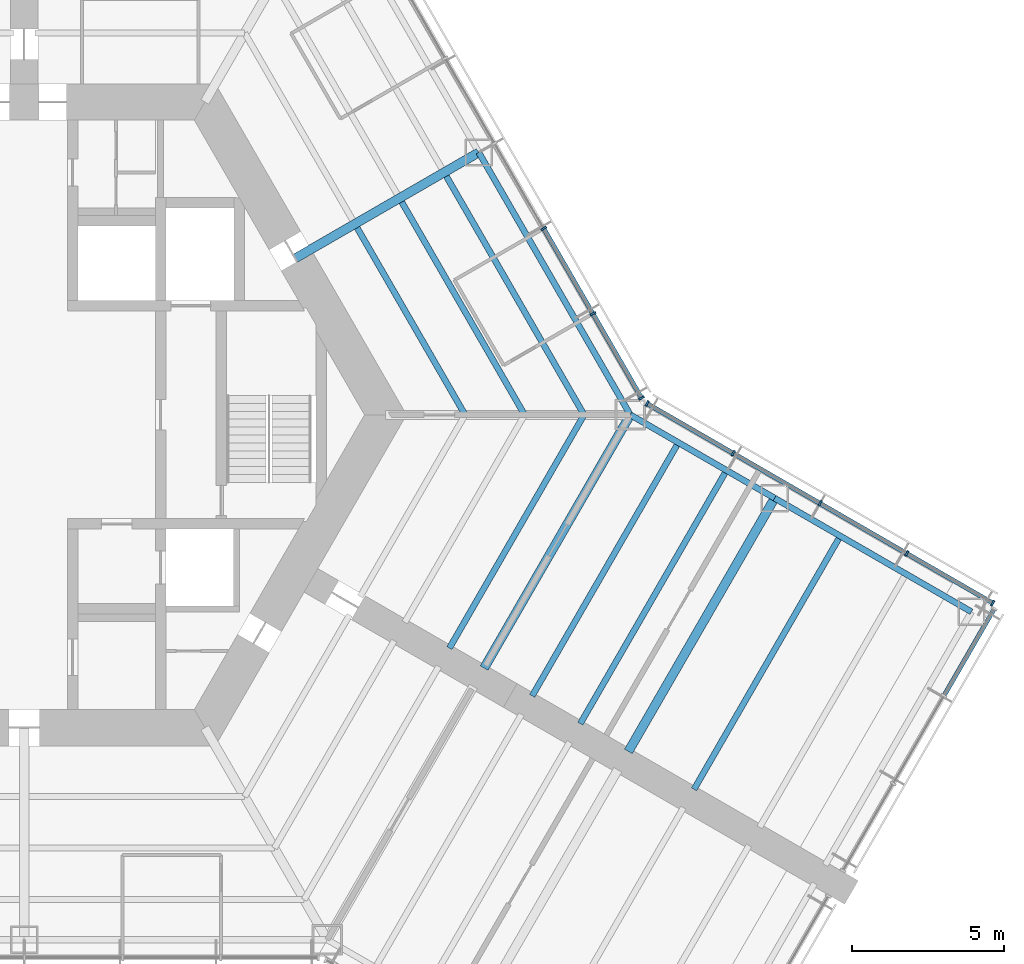
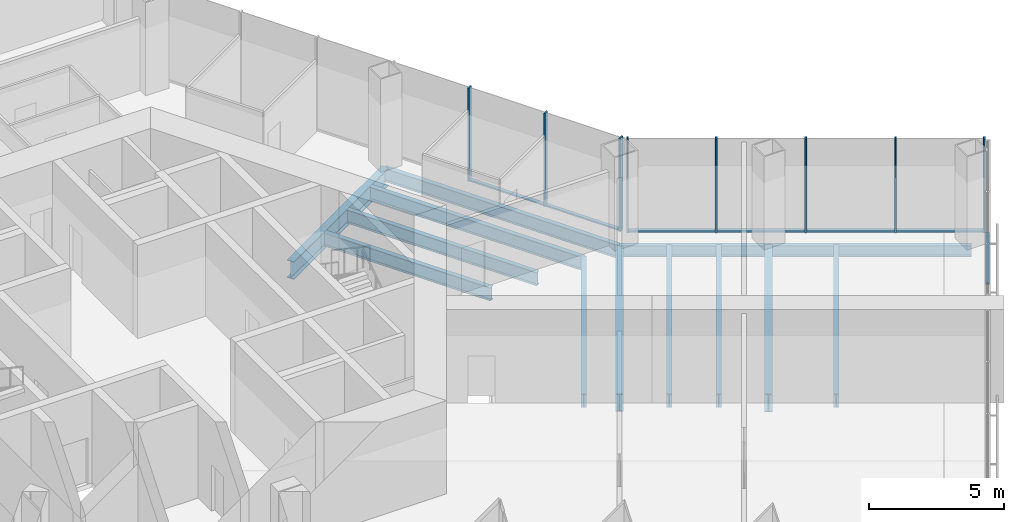
# One storey, part 5 of 17: 15 members, 13 beams, 3 elements without a shape of their own.
"""IFC4 building model written with IfcOpenShell, lengths in metres."""

from ifc_helpers import new_model, si_unit, direction, frame, origin, origin_2d, place, context, subcontext, project, spatial, rectangle, i_section, extrude, material, material_profile, profile_set, type_object, element, aggregate, save


model = new_model("IFC4")

# Units and contexts
model_context = context("Model", 3, precision=1e-05, world=origin(), true_north=direction((0.0, 1.0)))
body_context = subcontext(model_context, "Body", "Model", "MODEL_VIEW")
ifc_project = project(units=[si_unit("LENGTHUNIT", "METRE"), si_unit("AREAUNIT", "SQUARE_METRE"), si_unit("VOLUMEUNIT", "CUBIC_METRE"), si_unit("PLANEANGLEUNIT", "RADIAN"), si_unit("MASSUNIT", "GRAM", prefix="KILO")], contexts=[model_context])

# Site, building, storey
site_placement = place(None, origin())
site = spatial("IfcSite", under=ifc_project, at=site_placement, CompositionType="ELEMENT")
building_placement = place(site_placement, origin())
building = spatial("IfcBuilding", under=site, at=building_placement, Name="Kasaneha Research Tower", CompositionType="ELEMENT")
storey_placement = place(building_placement, frame((0.0, 0.0, 43.60009765625)))
storey = spatial("IfcBuildingStorey", under=building, at=storey_placement, Name="L11", CompositionType="ELEMENT", Elevation=43.60009765625)

# Beams
ifc_material_1 = material(Name="Steel SN490B", Category="steel")
ifc_material_profile_1 = material_profile(ifc_material_1, i_section(OverallWidth=0.199951171875, OverallDepth=0.60009765625, WebThickness=0.010986328125, FlangeThickness=0.01708984375, FilletRadius=0.012939453125, at=origin_2d()), Name="H-600x200x11x17")
ifc_profile_set_1 = profile_set([ifc_material_profile_1], Name="Steel SN490B")
beam_type_1 = type_object("IfcBeamType", Name="B1-2 secondary beam H-600x200x11x17", PredefinedType="JOIST", material=ifc_profile_set_1)
beam_1_placement = place(storey_placement, frame((14.54931640625, 0.0, -0.47021484375), z_axis=(-0.500016104636, 0.866016105569, 0.0), x_axis=(-0.866016105569, -0.500016104636, 0.0)))
element("IfcBeam", 1, at=beam_1_placement, inside=storey, type_object=beam_type_1, Name="Secondary beam RS030L1 L11", PredefinedType="JOIST", context=body_context, shape_type="SweptSolid", body=[
    extrude(i_section(OverallWidth=0.199951171875, OverallDepth=0.60009765625, WebThickness=0.010986328125, FlangeThickness=0.01708984375, FilletRadius=0.012939453125, at=origin_2d()), origin(), (0.0, 0.0, 1.0), 7.124755859375),
])
beam_2_placement = place(storey_placement, frame((16.51220703125, 0.0, -0.47021484375), z_axis=(-0.49999707157, 0.866027094508, 0.0), x_axis=(-0.866027094508, -0.49999707157, 0.0)))
element("IfcBeam", 2, at=beam_2_placement, inside=storey, type_object=beam_type_1, Name="Secondary beam RS030L2 L11", PredefinedType="JOIST", context=body_context, shape_type="SweptSolid", body=[
    extrude(i_section(OverallWidth=0.199951171875, OverallDepth=0.60009765625, WebThickness=0.010986328125, FlangeThickness=0.01708984375, FilletRadius=0.012939453125, at=origin_2d()), origin(), (0.0, 0.0, 1.0), 8.10595703125),
])
beam_3_placement = place(storey_placement, frame((18.47509765625, 0.0, -0.47021484375), z_axis=(-0.499990665392, 0.866030793056, 0.0), x_axis=(-0.866030793056, -0.499990665392, 0.0)))
element("IfcBeam", 3, at=beam_3_placement, inside=storey, type_object=beam_type_1, Name="Secondary beam RS030L3 L11", PredefinedType="JOIST", context=body_context, shape_type="SweptSolid", body=[
    extrude(i_section(OverallWidth=0.199951171875, OverallDepth=0.60009765625, WebThickness=0.010986328125, FlangeThickness=0.01708984375, FilletRadius=0.012939453125, at=origin_2d()), origin(), (0.0, 0.0, 1.0), 9.087646484375),
])
beam_4_placement = place(storey_placement, frame((18.47509765625, 0.0, -0.47021484375), z_axis=(-0.499988779951, -0.866031881586, 0.0), x_axis=(0.866031881586, -0.499988779951, 0.0)))
element("IfcBeam", 4, at=beam_4_placement, inside=storey, type_object=beam_type_1, Name="Secondary beam RS330R3 L11", PredefinedType="JOIST", context=body_context, shape_type="SweptSolid", body=[
    extrude(i_section(OverallWidth=0.199951171875, OverallDepth=0.60009765625, WebThickness=0.010986328125, FlangeThickness=0.01708984375, FilletRadius=0.012939453125, at=origin_2d()), origin(), (0.0, 0.0, 1.0), 8.887451171875),
])
ifc_material_2 = material(Name="Steel SN490B", Category="steel")
ifc_material_profile_2 = material_profile(ifc_material_2, i_section(OverallWidth=0.198974609375, OverallDepth=0.595947265625, WebThickness=0.010009765625, FlangeThickness=0.014892578125, FilletRadius=0.012939453125, at=origin_2d()), Name="H-596x199x10x15")
ifc_profile_set_2 = profile_set([ifc_material_profile_2], Name="Steel SN490B")
beam_type_2 = type_object("IfcBeamType", Name="B2-2 secondary beam H-596x199x10x15", PredefinedType="JOIST", material=ifc_profile_set_2)
beam_5_placement = place(storey_placement, frame((21.587646484375, -0.916748046875, -0.468017578125), z_axis=(-0.499994742786, -0.866028439017, 0.0), x_axis=(0.866028439017, -0.499994742786, 0.0)))
element("IfcBeam", 5, at=beam_5_placement, inside=storey, type_object=beam_type_2, Name="Secondary beam WBCN1 L11", PredefinedType="JOIST", context=body_context, shape_type="SweptSolid", body=[
    extrude(i_section(OverallWidth=0.198974609375, OverallDepth=0.595947265625, WebThickness=0.010009765625, FlangeThickness=0.014892578125, FilletRadius=0.012939453125, at=origin_2d()), origin(), (0.0, 0.0, 1.0), 9.64990234375),
])
beam_6_placement = place(storey_placement, frame((23.175537109375, -1.833251953125, -0.468017578125), z_axis=(-0.500013717211, -0.866017484004, 0.0), x_axis=(0.866017484004, -0.500013717211, 0.0)))
element("IfcBeam", 6, at=beam_6_placement, inside=storey, type_object=beam_type_2, Name="Secondary beam WBCN2 L11", PredefinedType="JOIST", context=body_context, shape_type="SweptSolid", body=[
    extrude(i_section(OverallWidth=0.198974609375, OverallDepth=0.595947265625, WebThickness=0.010009765625, FlangeThickness=0.014892578125, FilletRadius=0.012939453125, at=origin_2d()), origin(), (0.0, 0.0, 1.0), 9.650146484375),
])
beam_7_placement = place(storey_placement, frame((26.92822265625, -4.0, -0.468017578125), z_axis=(-0.499994742786, -0.866028439017, 0.0), x_axis=(0.866028439017, -0.499994742786, 0.0)))
element("IfcBeam", 7, at=beam_7_placement, inside=storey, type_object=beam_type_2, Name="Secondary beam WBCN3 L11", PredefinedType="JOIST", context=body_context, shape_type="SweptSolid", body=[
    extrude(i_section(OverallWidth=0.198974609375, OverallDepth=0.595947265625, WebThickness=0.010009765625, FlangeThickness=0.014892578125, FilletRadius=0.012939453125, at=origin_2d()), origin(), (0.0, 0.0, 1.0), 9.64990234375),
])

# Curtain wall, members
ifc_material_3 = material(Name="Glass and aluminium", Category="aluminium")
curtain_wall_type = type_object("IfcCurtainWallType", Name="Dry laboratory curtain wall", PredefinedType="USERDEFINED", material=ifc_material_3)
curtain_wall_1_placement = place(storey_placement, origin())
curtain_wall_1 = element("IfcCurtainWall", 8, at=curtain_wall_1_placement, inside=storey, type_object=curtain_wall_type, Name="CW-L2 L11 run 06a", ObjectType="UNITISED CURTAIN WALL", PredefinedType="USERDEFINED")
ifc_material_4 = material(Name="Aluminium 6063-T6", Category="aluminium")
ifc_material_profile_3 = material_profile(ifc_material_4, rectangle(XDim=0.06494140625, YDim=0.199951171875, at=origin_2d()), Name="CW-L2 mullion 65x200")
ifc_profile_set_3 = profile_set([ifc_material_profile_3], Name="Aluminium 6063-T6")
member_type_1 = type_object("IfcMemberType", Name="CW-L2 mullion", PredefinedType="MULLION", material=ifc_profile_set_3)
member_1_placement = place(storey_placement, frame((31.963134765625, -6.214111328125, 0.0), z_axis=(0.0, 0.0, 1.0), x_axis=(-0.866025411464, 0.499999986699, 0.0)))
member_1 = element("IfcMember", 9, at=member_1_placement, type_object=member_type_1, Name="CW-L2 mullion 1", PredefinedType="MULLION", context=body_context, shape_type="SweptSolid", body=[
    extrude(rectangle(XDim=0.06494140625, YDim=0.199951171875, at=origin_2d()), origin(), (0.0, 0.0, 1.0), 4.199951171875),
])
member_2_placement = place(storey_placement, frame((29.125, -4.575439453125, 0.0), z_axis=(0.0, 0.0, 1.0), x_axis=(-0.866025411464, 0.499999986699, 0.0)))
member_2 = element("IfcMember", 10, at=member_2_placement, type_object=member_type_1, Name="CW-L2 mullion 2", PredefinedType="MULLION", context=body_context, shape_type="SweptSolid", body=[
    extrude(rectangle(XDim=0.06494140625, YDim=0.199951171875, at=origin_2d()), origin(), (0.0, 0.0, 1.0), 4.199951171875),
])
member_3_placement = place(storey_placement, frame((26.258544921875, -2.920654296875, 0.0), z_axis=(0.0, 0.0, 1.0), x_axis=(-0.866025411464, 0.499999986699, 0.0)))
member_3 = element("IfcMember", 11, at=member_3_placement, type_object=member_type_1, Name="CW-L2 mullion 3", PredefinedType="MULLION", context=body_context, shape_type="SweptSolid", body=[
    extrude(rectangle(XDim=0.06494140625, YDim=0.199951171875, at=origin_2d()), origin(), (0.0, 0.0, 1.0), 4.199951171875),
])
member_4_placement = place(storey_placement, frame((23.39208984375, -1.265625, 0.0), z_axis=(0.0, 0.0, 1.0), x_axis=(-0.866025411464, 0.499999986699, 0.0)))
member_4 = element("IfcMember", 12, at=member_4_placement, type_object=member_type_1, Name="CW-L2 mullion 4", PredefinedType="MULLION", context=body_context, shape_type="SweptSolid", body=[
    extrude(rectangle(XDim=0.06494140625, YDim=0.199951171875, at=origin_2d()), origin(), (0.0, 0.0, 1.0), 4.199951171875),
])
member_5_placement = place(storey_placement, frame((20.553955078125, 0.373046875, 0.0), z_axis=(0.0, 0.0, 1.0), x_axis=(-0.866025411464, 0.499999986699, 0.0)))
member_5 = element("IfcMember", 13, at=member_5_placement, type_object=member_type_1, Name="CW-L2 mullion 5", PredefinedType="MULLION", context=body_context, shape_type="SweptSolid", body=[
    extrude(rectangle(XDim=0.06494140625, YDim=0.199951171875, at=origin_2d()), origin(), (0.0, 0.0, 1.0), 4.199951171875),
])

curtain_wall_2_placement = place(storey_placement, origin())
curtain_wall_2 = element("IfcCurtainWall", 14, at=curtain_wall_2_placement, inside=storey, type_object=curtain_wall_type, Name="CW-L2 L11 run 07a", ObjectType="UNITISED CURTAIN WALL", PredefinedType="USERDEFINED")
member_6_placement = place(storey_placement, frame((20.373046875, 0.553955078125, 0.0), z_axis=(0.0, 0.0, 1.0), x_axis=(-0.49999996188, 0.866025425793, 0.0)))
member_6 = element("IfcMember", 15, at=member_6_placement, type_object=member_type_1, Name="CW-L2 mullion 1", PredefinedType="MULLION", context=body_context, shape_type="SweptSolid", body=[
    extrude(rectangle(XDim=0.06494140625, YDim=0.199951171875, at=origin_2d()), origin(), (0.0, 0.0, 1.0), 4.199951171875),
])
member_7_placement = place(storey_placement, frame((18.76611328125, 3.33740234375, 0.0), z_axis=(0.0, 0.0, 1.0), x_axis=(-0.49999996188, 0.866025425793, 0.0)))
member_7 = element("IfcMember", 16, at=member_7_placement, type_object=member_type_1, Name="CW-L2 mullion 2", PredefinedType="MULLION", context=body_context, shape_type="SweptSolid", body=[
    extrude(rectangle(XDim=0.06494140625, YDim=0.199951171875, at=origin_2d()), origin(), (0.0, 0.0, 1.0), 4.199951171875),
])
member_8_placement = place(storey_placement, frame((17.142822265625, 6.148681640625, 0.0), z_axis=(0.0, 0.0, 1.0), x_axis=(-0.49999996188, 0.866025425793, 0.0)))
member_8 = element("IfcMember", 17, at=member_8_placement, type_object=member_type_1, Name="CW-L2 mullion 3", PredefinedType="MULLION", context=body_context, shape_type="SweptSolid", body=[
    extrude(rectangle(XDim=0.06494140625, YDim=0.199951171875, at=origin_2d()), origin(), (0.0, 0.0, 1.0), 4.199951171875),
])

# Curtain wall, member
curtain_wall_3_placement = place(storey_placement, origin())
curtain_wall_3 = element("IfcCurtainWall", 18, at=curtain_wall_3_placement, inside=storey, type_object=curtain_wall_type, Name="CW-L2 L11 run 05a", ObjectType="UNITISED CURTAIN WALL", PredefinedType="USERDEFINED")
ifc_material_5 = material(Name="Aluminium 6063-T6", Category="aluminium")
ifc_material_profile_4 = material_profile(ifc_material_5, rectangle(XDim=0.14990234375, YDim=0.06494140625, at=origin_2d()), Name="CW-L2 transom 150x65")
ifc_profile_set_4 = profile_set([ifc_material_profile_4], Name="Aluminium 6063-T6")
member_type_2 = type_object("IfcMemberType", Name="CW-L2 transom", PredefinedType="USERDEFINED", material=ifc_profile_set_4)
member_9_placement = place(storey_placement, frame((30.369140625, -9.239990234375, 0.032470703125), z_axis=(0.500006189695, 0.866021830133, 0.0), x_axis=(-0.866021830133, 0.500006189695, 0.0)))
member_9 = element("IfcMember", 19, at=member_9_placement, type_object=member_type_2, Name="CW-L2 transom 3", ObjectType="TRANSOM", PredefinedType="USERDEFINED", context=body_context, shape_type="SweptSolid", body=[
    extrude(rectangle(XDim=0.14990234375, YDim=0.06494140625, at=origin_2d()), origin(), (0.0, 0.0, 1.0), 3.25244140625),
])
aggregate(curtain_wall_3, [member_9])

# Member
member_10_placement = place(storey_placement, frame((31.93505859375, -6.197998046875, 0.032470703125), z_axis=(-0.866022320763, 0.500005339912, 0.0), x_axis=(-0.500005339912, -0.866022320763, 0.0)))
member_10 = element("IfcMember", 20, at=member_10_placement, type_object=member_type_2, Name="CW-L2 transom 1", ObjectType="TRANSOM", PredefinedType="USERDEFINED", context=body_context, shape_type="SweptSolid", body=[
    extrude(rectangle(XDim=0.14990234375, YDim=0.06494140625, at=origin_2d()), origin(), (0.0, 0.0, 1.0), 3.21240234375),
])

member_11_placement = place(storey_placement, frame((29.096923828125, -4.559326171875, 0.032470703125), z_axis=(-0.866021460221, 0.500006830391, 0.0), x_axis=(-0.500006830391, -0.866021460221, 0.0)))
member_11 = element("IfcMember", 21, at=member_11_placement, type_object=member_type_2, Name="CW-L2 transom 2", ObjectType="TRANSOM", PredefinedType="USERDEFINED", context=body_context, shape_type="SweptSolid", body=[
    extrude(rectangle(XDim=0.14990234375, YDim=0.06494140625, at=origin_2d()), origin(), (0.0, 0.0, 1.0), 3.2451171875),
])

member_12_placement = place(storey_placement, frame((26.23046875, -2.904296875, 0.032470703125), z_axis=(-0.866035229914, 0.499982980259, 0.0), x_axis=(-0.499982980259, -0.866035229914, 0.0)))
member_12 = element("IfcMember", 22, at=member_12_placement, type_object=member_type_2, Name="CW-L2 transom 3", ObjectType="TRANSOM", PredefinedType="USERDEFINED", context=body_context, shape_type="SweptSolid", body=[
    extrude(rectangle(XDim=0.14990234375, YDim=0.06494140625, at=origin_2d()), origin(), (0.0, 0.0, 1.0), 3.24462890625),
])

member_13_placement = place(storey_placement, frame((23.364013671875, -1.24951171875, 0.032470703125), z_axis=(-0.866022320763, 0.500005339912, 0.0), x_axis=(-0.500005339912, -0.866022320763, 0.0)))
member_13 = element("IfcMember", 23, at=member_13_placement, type_object=member_type_2, Name="CW-L2 transom 4", ObjectType="TRANSOM", PredefinedType="USERDEFINED", context=body_context, shape_type="SweptSolid", body=[
    extrude(rectangle(XDim=0.14990234375, YDim=0.06494140625, at=origin_2d()), origin(), (0.0, 0.0, 1.0), 3.21240234375),
])

aggregate(curtain_wall_1, [member_1, member_2, member_3, member_4, member_5, member_10, member_11, member_12, member_13])

member_14_placement = place(storey_placement, frame((20.356689453125, 0.58203125, 0.032470703125), z_axis=(-0.49999985423, 0.866025487945, 0.0), x_axis=(-0.866025487945, -0.49999985423, 0.0)))
member_14 = element("IfcMember", 24, at=member_14_placement, type_object=member_type_2, Name="CW-L2 transom 1", ObjectType="TRANSOM", PredefinedType="USERDEFINED", context=body_context, shape_type="SweptSolid", body=[
    extrude(rectangle(XDim=0.14990234375, YDim=0.06494140625, at=origin_2d()), origin(), (0.0, 0.0, 1.0), 3.14892578125),
])

member_15_placement = place(storey_placement, frame((18.749755859375, 3.365478515625, 0.032470703125), z_axis=(-0.499977104415, 0.866038622153, 0.0), x_axis=(-0.866038622153, -0.499977104415, 0.0)))
member_15 = element("IfcMember", 25, at=member_15_placement, type_object=member_type_2, Name="CW-L2 transom 2", ObjectType="TRANSOM", PredefinedType="USERDEFINED", context=body_context, shape_type="SweptSolid", body=[
    extrude(rectangle(XDim=0.14990234375, YDim=0.06494140625, at=origin_2d()), origin(), (0.0, 0.0, 1.0), 3.181396484375),
])

aggregate(curtain_wall_2, [member_6, member_7, member_8, member_14, member_15])

# Beams
ifc_material_6 = material(Name="Steel SN490B", Category="steel")
ifc_material_profile_5 = material_profile(ifc_material_6, i_section(OverallWidth=0.300048828125, OverallDepth=0.800048828125, WebThickness=0.013916015625, FlangeThickness=0.02587890625, FilletRadius=0.01806640625, at=origin_2d()), Name="H-800x300x14x26")
ifc_profile_set_5 = profile_set([ifc_material_profile_5], Name="Steel SN490B")
beam_type_3 = type_object("IfcBeamType", Name="G2-2 radial girder H-800x300x14x26", PredefinedType="BEAM", material=ifc_profile_set_5)
beam_8_placement = place(storey_placement, frame((8.941650390625, 5.16259765625, -0.570068359375), z_axis=(0.866039713508, 0.499975214012, 0.0), x_axis=(-0.499975214012, 0.866039713508, 0.0)))
element("IfcBeam", 26, at=beam_8_placement, inside=storey, type_object=beam_type_3, Name="Radial girder RM030 L11", PredefinedType="BEAM", context=body_context, shape_type="SweptSolid", body=[
    extrude(i_section(OverallWidth=0.300048828125, OverallDepth=0.800048828125, WebThickness=0.013916015625, FlangeThickness=0.02587890625, FilletRadius=0.01806640625, at=origin_2d()), origin(), (0.0, 0.0, 1.0), 6.995361328125),
])
ifc_material_7 = material(Name="Steel SN490B", Category="steel")
ifc_material_profile_6 = material_profile(ifc_material_7, i_section(OverallWidth=0.300048828125, OverallDepth=0.7919921875, WebThickness=0.013916015625, FlangeThickness=0.02197265625, FilletRadius=0.01806640625, at=origin_2d()), Name="H-792x300x14x22")
ifc_profile_set_6 = profile_set([ifc_material_profile_6], Name="Steel SN490B")
beam_type_4 = type_object("IfcBeamType", Name="G3-2 plate edge girder H-792x300x14x22", PredefinedType="BEAM", material=ifc_profile_set_6)
beam_9_placement = place(storey_placement, frame((20.0, 0.0, -0.566162109375), z_axis=(-0.499994742786, -0.866028439017, 0.0), x_axis=(0.866028439017, -0.499994742786, 0.0)))
element("IfcBeam", 27, at=beam_9_placement, inside=storey, type_object=beam_type_4, Name="Plate edge girder PECN L11", PredefinedType="BEAM", context=body_context, shape_type="SweptSolid", body=[
    extrude(i_section(OverallWidth=0.300048828125, OverallDepth=0.7919921875, WebThickness=0.013916015625, FlangeThickness=0.02197265625, FilletRadius=0.01806640625, at=origin_2d()), origin(), (0.0, 0.0, 1.0), 9.64990234375),
])
ifc_material_8 = material(Name="Steel SN490B", Category="steel")
ifc_material_profile_7 = material_profile(ifc_material_8, i_section(OverallWidth=0.300048828125, OverallDepth=0.800048828125, WebThickness=0.013916015625, FlangeThickness=0.02587890625, FilletRadius=0.01806640625, at=origin_2d()), Name="H-800x300x14x26")
ifc_profile_set_7 = profile_set([ifc_material_profile_7], Name="Steel SN490B")
beam_type_5 = type_object("IfcBeamType", Name="G4-2 wing girder H-800x300x14x26", PredefinedType="BEAM", material=ifc_profile_set_7)
beam_10_placement = place(storey_placement, frame((24.76318359375, -2.75, -0.570068359375), z_axis=(-0.499994742786, -0.866028439017, 0.0), x_axis=(0.866028439017, -0.499994742786, 0.0)))
element("IfcBeam", 28, at=beam_10_placement, inside=storey, type_object=beam_type_5, Name="Wing girder WGCN L11", PredefinedType="BEAM", context=body_context, shape_type="SweptSolid", body=[
    extrude(i_section(OverallWidth=0.300048828125, OverallDepth=0.800048828125, WebThickness=0.013916015625, FlangeThickness=0.02587890625, FilletRadius=0.01806640625, at=origin_2d()), origin(), (0.0, 0.0, 1.0), 9.64990234375),
])
ifc_material_9 = material(Name="Steel SN490B", Category="steel")
ifc_material_profile_8 = material_profile(ifc_material_9, i_section(OverallWidth=0.199951171875, OverallDepth=0.60009765625, WebThickness=0.010986328125, FlangeThickness=0.01708984375, FilletRadius=0.012939453125, at=origin_2d()), Name="H-600x200x11x17")
ifc_profile_set_8 = profile_set([ifc_material_profile_8], Name="Steel SN490B")
beam_type_6 = type_object("IfcBeamType", Name="SB1-2 spandrel beam H-600x200x11x17", PredefinedType="SPANDREL", material=ifc_profile_set_8)
beam_11_placement = place(storey_placement, frame((20.0, 0.0, -0.47021484375), z_axis=(-0.500004234368, 0.866022959057, 0.0), x_axis=(-0.866022959057, -0.500004234368, 0.0)))
element("IfcBeam", 29, at=beam_11_placement, inside=storey, type_object=beam_type_6, Name="Spandrel beam SR030L L11", PredefinedType="SPANDREL", context=body_context, shape_type="SweptSolid", body=[
    extrude(i_section(OverallWidth=0.199951171875, OverallDepth=0.60009765625, WebThickness=0.010986328125, FlangeThickness=0.01708984375, FilletRadius=0.012939453125, at=origin_2d()), origin(), (0.0, 0.0, 1.0), 10.0),
])
ifc_material_10 = material(Name="Steel SN490B", Category="steel")
ifc_material_profile_9 = material_profile(ifc_material_10, i_section(OverallWidth=0.199951171875, OverallDepth=0.5, WebThickness=0.010009765625, FlangeThickness=0.01611328125, FilletRadius=0.012939453125, at=origin_2d()), Name="H-500x200x10x16")
ifc_profile_set_9 = profile_set([ifc_material_profile_9], Name="Steel SN490B")
beam_type_7 = type_object("IfcBeamType", Name="SB2-2 spandrel beam H-500x200x10x16", PredefinedType="SPANDREL", material=ifc_profile_set_9)
beam_12_placement = place(storey_placement, frame((20.0, 0.0, -0.420166015625), z_axis=(0.866027397988, -0.499996545922, 0.0), x_axis=(0.499996545922, 0.866027397988, 0.0)))
element("IfcBeam", 30, at=beam_12_placement, inside=storey, type_object=beam_type_7, Name="Spandrel beam WSCN1 L11", PredefinedType="SPANDREL", context=body_context, shape_type="SweptSolid", body=[
    extrude(i_section(OverallWidth=0.199951171875, OverallDepth=0.5, WebThickness=0.010009765625, FlangeThickness=0.01611328125, FilletRadius=0.012939453125, at=origin_2d()), origin(), (0.0, 0.0, 1.0), 5.5),
])
beam_13_placement = place(storey_placement, frame((24.76318359375, -2.75, -0.420166015625), z_axis=(0.866022959057, -0.500004234368, 0.0), x_axis=(0.500004234368, 0.866022959057, 0.0)))
element("IfcBeam", 31, at=beam_13_placement, inside=storey, type_object=beam_type_7, Name="Spandrel beam WSCN2 L11", PredefinedType="SPANDREL", context=body_context, shape_type="SweptSolid", body=[
    extrude(i_section(OverallWidth=0.199951171875, OverallDepth=0.5, WebThickness=0.010009765625, FlangeThickness=0.01611328125, FilletRadius=0.012939453125, at=origin_2d()), origin(), (0.0, 0.0, 1.0), 7.5),
])

save(model, "model.ifc")
